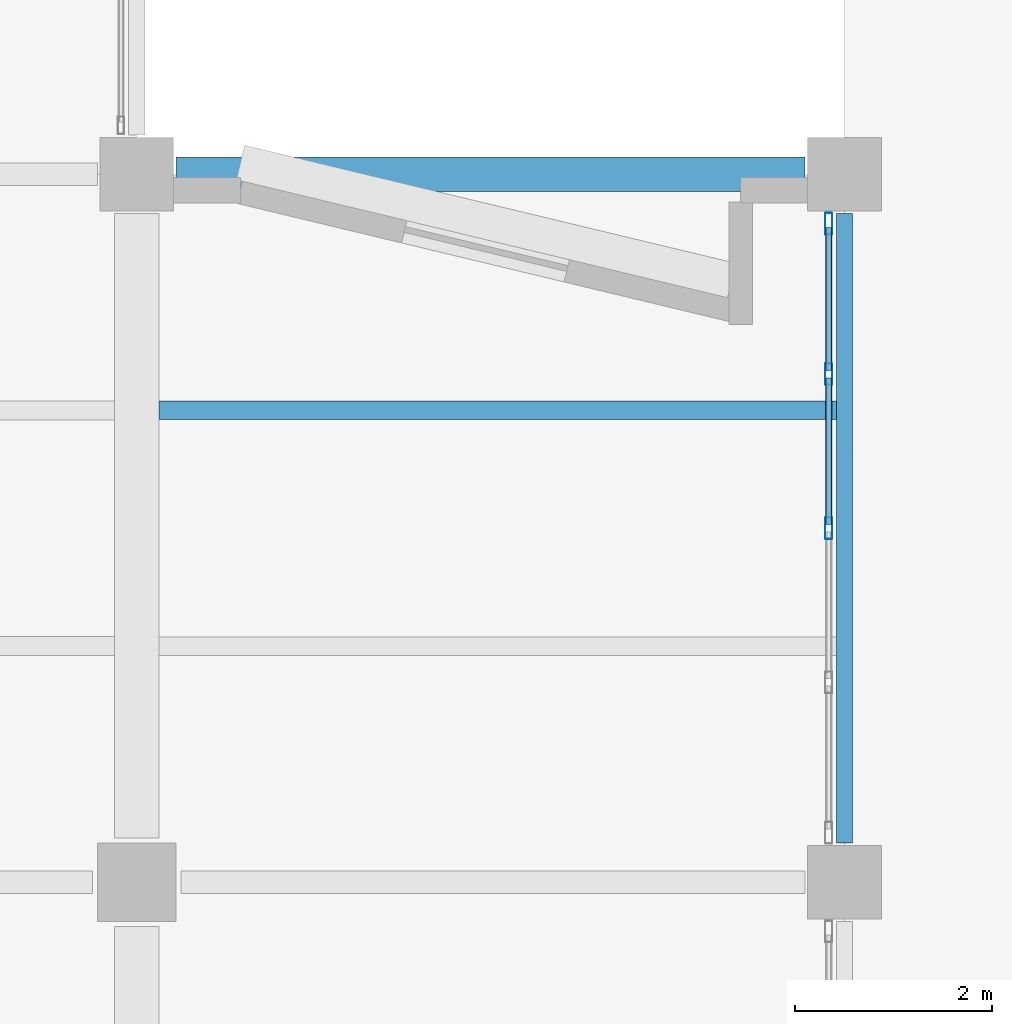
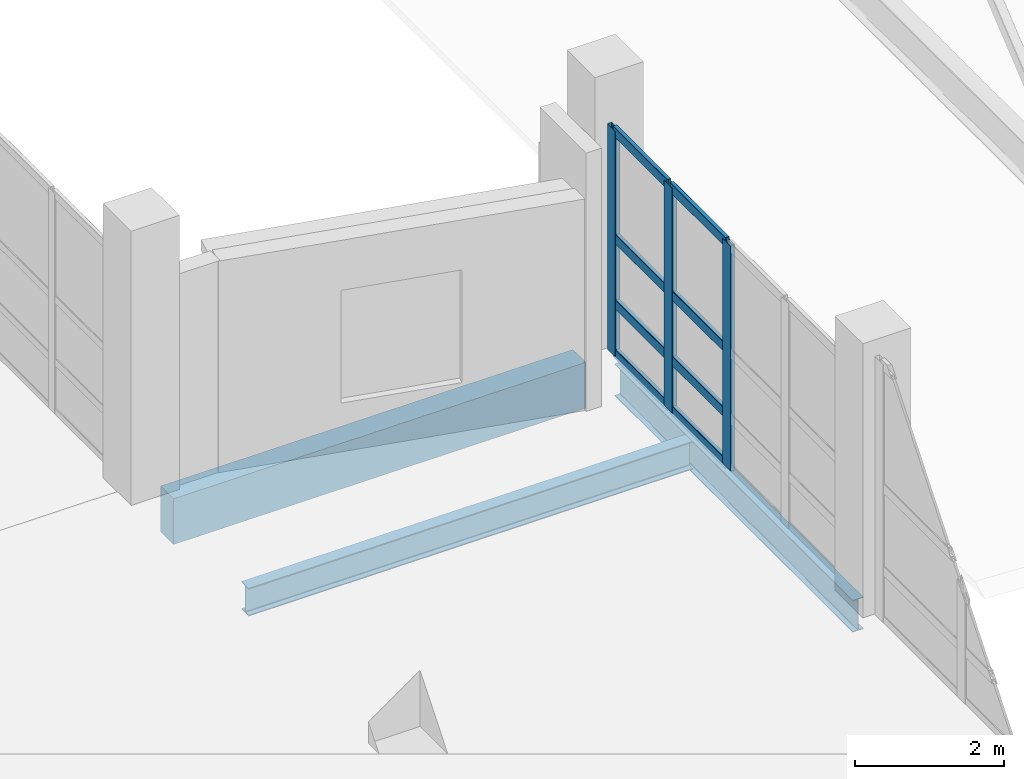
# One storey, part 35 of 123: 11 members, 3 beams, 1 element without a shape of its own.
"""IFC4 building model written with IfcOpenShell, lengths in metres."""

from ifc_helpers import new_model, si_unit, direction, frame, origin, origin_2d, place, context, subcontext, project, spatial, rectangle, hollow_rectangle, i_section, extrude, material, material_profile, profile_set, type_object, element, aggregate, save


model = new_model("IFC4")

# Units and contexts
model_context = context("Model", 3, precision=1e-05, world=origin(), true_north=direction((0.0, 1.0)))
body_context = subcontext(model_context, "Body", "Model", "MODEL_VIEW")
ifc_project = project(units=[si_unit("LENGTHUNIT", "METRE"), si_unit("AREAUNIT", "SQUARE_METRE"), si_unit("VOLUMEUNIT", "CUBIC_METRE"), si_unit("PLANEANGLEUNIT", "RADIAN"), si_unit("MASSUNIT", "GRAM", prefix="KILO")], contexts=[model_context])

# Site, building, storey
site_placement = place(None, origin())
site = spatial("IfcSite", under=ifc_project, at=site_placement, CompositionType="ELEMENT")
building_placement = place(site_placement, origin())
building = spatial("IfcBuilding", under=site, at=building_placement, Name="Kalmorath City Hall", CompositionType="ELEMENT")
storey_placement = place(building_placement, frame((0.0, 0.0, 10.199951171875)))
storey = spatial("IfcBuildingStorey", under=building, at=storey_placement, Name="L02", CompositionType="ELEMENT", Elevation=10.199951171875)

# Curtain wall, members
ifc_material_1 = material(Name="Anodised aluminium and laminated glass", Category="aluminium")
curtain_wall_type = type_object("IfcCurtainWallType", Name="Unitised hurricane curtain wall 6270x3696 M1500", PredefinedType="NOTDEFINED", material=ifc_material_1)
curtain_wall_placement = place(storey_placement, origin())
curtain_wall = element("IfcCurtainWall", 1, at=curtain_wall_placement, inside=storey, type_object=curtain_wall_type, Name="L02 curtain wall CW-63X37M15 #143", PredefinedType="NOTDEFINED")
ifc_material_2 = material(Name="Anodised aluminium framing", Category="aluminium")
ifc_material_profile_1 = material_profile(ifc_material_2, hollow_rectangle(XDim=0.074951171875, YDim=0.219970703125, WallThickness=0.00390625, InnerFilletRadius=0.00390625, OuterFilletRadius=0.008056640625, at=origin_2d()), Name="ALU-MUL-220X75X4")
ifc_profile_set_1 = profile_set([ifc_material_profile_1], Name="Anodised aluminium framing")
member_type_1 = type_object("IfcMemberType", Name="Curtain-wall primary mullion 220x75", PredefinedType="MULLION", material=ifc_profile_set_1)
member_1_placement = place(storey_placement, frame((35.840087890625, 35.49755859375, 0.0), z_axis=(0.0, 0.0, 1.0), x_axis=(1.0, 0.0, 0.0)))
member_1 = element("IfcMember", 2, at=member_1_placement, type_object=member_type_1, Name="CW-63X37M15 mullion 1", PredefinedType="MULLION", context=body_context, shape_type="SweptSolid", body=[
    extrude(hollow_rectangle(XDim=0.074951171875, YDim=0.219970703125, WallThickness=0.00390625, InnerFilletRadius=0.00390625, OuterFilletRadius=0.008056640625, at=origin_2d()), origin(), (0.0, 0.0, 1.0), 3.696044921875),
])
member_2_placement = place(storey_placement, frame((35.840087890625, 33.967529296875, 0.0), z_axis=(0.0, 0.0, 1.0), x_axis=(1.0, 0.0, 0.0)))
member_2 = element("IfcMember", 3, at=member_2_placement, type_object=member_type_1, Name="CW-63X37M15 mullion 2", PredefinedType="MULLION", context=body_context, shape_type="SweptSolid", body=[
    extrude(hollow_rectangle(XDim=0.074951171875, YDim=0.219970703125, WallThickness=0.00390625, InnerFilletRadius=0.00390625, OuterFilletRadius=0.008056640625, at=origin_2d()), origin(), (0.0, 0.0, 1.0), 3.696044921875),
])
member_3_placement = place(storey_placement, frame((35.840087890625, 32.39990234375, 0.0), z_axis=(0.0, 0.0, 1.0), x_axis=(1.0, 0.0, 0.0)))
member_3 = element("IfcMember", 4, at=member_3_placement, type_object=member_type_1, Name="CW-63X37M15 mullion 3", PredefinedType="MULLION", context=body_context, shape_type="SweptSolid", body=[
    extrude(hollow_rectangle(XDim=0.074951171875, YDim=0.219970703125, WallThickness=0.00390625, InnerFilletRadius=0.00390625, OuterFilletRadius=0.008056640625, at=origin_2d()), origin(), (0.0, 0.0, 1.0), 3.696044921875),
])
ifc_material_3 = material(Name="Anodised aluminium framing", Category="aluminium")
ifc_material_profile_2 = material_profile(ifc_material_3, hollow_rectangle(XDim=0.06494140625, YDim=0.159912109375, WallThickness=0.00390625, InnerFilletRadius=0.00390625, OuterFilletRadius=0.008056640625, at=origin_2d()), Name="ALU-TRN-160X65X4")
ifc_profile_set_2 = profile_set([ifc_material_profile_2], Name="Anodised aluminium framing")
member_type_2 = type_object("IfcMemberType", Name="Curtain-wall primary transom 160x65", PredefinedType="USERDEFINED", material=ifc_profile_set_2)
member_4_placement = place(storey_placement, frame((35.840087890625, 35.4599609375, 0.032470703125), z_axis=(0.0, -1.0, 0.0), x_axis=(1.0, 0.0, 0.0)))
member_4 = element("IfcMember", 5, at=member_4_placement, type_object=member_type_2, Name="CW-63X37M15 transom 1.1", ObjectType="TRANSOM", PredefinedType="USERDEFINED", context=body_context, shape_type="SweptSolid", body=[
    extrude(hollow_rectangle(XDim=0.06494140625, YDim=0.159912109375, WallThickness=0.00390625, InnerFilletRadius=0.00390625, OuterFilletRadius=0.008056640625, at=origin_2d()), origin(), (0.0, 0.0, 1.0), 1.455078125),
])
member_5_placement = place(storey_placement, frame((35.840087890625, 35.4599609375, 0.85009765625), z_axis=(0.0, -1.0, 0.0), x_axis=(1.0, 0.0, 0.0)))
member_5 = element("IfcMember", 6, at=member_5_placement, type_object=member_type_2, Name="CW-63X37M15 transom 1.2", ObjectType="TRANSOM", PredefinedType="USERDEFINED", context=body_context, shape_type="SweptSolid", body=[
    extrude(hollow_rectangle(XDim=0.06494140625, YDim=0.159912109375, WallThickness=0.00390625, InnerFilletRadius=0.00390625, OuterFilletRadius=0.008056640625, at=origin_2d()), origin(), (0.0, 0.0, 1.0), 1.455078125),
])
member_6_placement = place(storey_placement, frame((35.840087890625, 35.4599609375, 1.922119140625), z_axis=(0.0, -1.0, 0.0), x_axis=(1.0, 0.0, 0.0)))
member_6 = element("IfcMember", 7, at=member_6_placement, type_object=member_type_2, Name="CW-63X37M15 transom 1.3", ObjectType="TRANSOM", PredefinedType="USERDEFINED", context=body_context, shape_type="SweptSolid", body=[
    extrude(hollow_rectangle(XDim=0.06494140625, YDim=0.159912109375, WallThickness=0.00390625, InnerFilletRadius=0.00390625, OuterFilletRadius=0.008056640625, at=origin_2d()), origin(), (0.0, 0.0, 1.0), 1.455078125),
])
member_7_placement = place(storey_placement, frame((35.840087890625, 35.4599609375, 3.66357421875), z_axis=(0.0, -1.0, 0.0), x_axis=(1.0, 0.0, 0.0)))
member_7 = element("IfcMember", 8, at=member_7_placement, type_object=member_type_2, Name="CW-63X37M15 transom 1.4", ObjectType="TRANSOM", PredefinedType="USERDEFINED", context=body_context, shape_type="SweptSolid", body=[
    extrude(hollow_rectangle(XDim=0.06494140625, YDim=0.159912109375, WallThickness=0.00390625, InnerFilletRadius=0.00390625, OuterFilletRadius=0.008056640625, at=origin_2d()), origin(), (0.0, 0.0, 1.0), 1.455078125),
])
member_8_placement = place(storey_placement, frame((35.840087890625, 33.929931640625, 0.032470703125), z_axis=(0.0, -1.0, 0.0), x_axis=(1.0, 0.0, 0.0)))
member_8 = element("IfcMember", 9, at=member_8_placement, type_object=member_type_2, Name="CW-63X37M15 transom 2.1", ObjectType="TRANSOM", PredefinedType="USERDEFINED", context=body_context, shape_type="SweptSolid", body=[
    extrude(hollow_rectangle(XDim=0.06494140625, YDim=0.159912109375, WallThickness=0.00390625, InnerFilletRadius=0.00390625, OuterFilletRadius=0.008056640625, at=origin_2d()), origin(), (0.0, 0.0, 1.0), 1.492431640625),
])
member_9_placement = place(storey_placement, frame((35.840087890625, 33.929931640625, 0.85009765625), z_axis=(0.0, -1.0, 0.0), x_axis=(1.0, 0.0, 0.0)))
member_9 = element("IfcMember", 10, at=member_9_placement, type_object=member_type_2, Name="CW-63X37M15 transom 2.2", ObjectType="TRANSOM", PredefinedType="USERDEFINED", context=body_context, shape_type="SweptSolid", body=[
    extrude(hollow_rectangle(XDim=0.06494140625, YDim=0.159912109375, WallThickness=0.00390625, InnerFilletRadius=0.00390625, OuterFilletRadius=0.008056640625, at=origin_2d()), origin(), (0.0, 0.0, 1.0), 1.492431640625),
])
member_10_placement = place(storey_placement, frame((35.840087890625, 33.929931640625, 1.922119140625), z_axis=(0.0, -1.0, 0.0), x_axis=(1.0, 0.0, 0.0)))
member_10 = element("IfcMember", 11, at=member_10_placement, type_object=member_type_2, Name="CW-63X37M15 transom 2.3", ObjectType="TRANSOM", PredefinedType="USERDEFINED", context=body_context, shape_type="SweptSolid", body=[
    extrude(hollow_rectangle(XDim=0.06494140625, YDim=0.159912109375, WallThickness=0.00390625, InnerFilletRadius=0.00390625, OuterFilletRadius=0.008056640625, at=origin_2d()), origin(), (0.0, 0.0, 1.0), 1.492431640625),
])
member_11_placement = place(storey_placement, frame((35.840087890625, 33.929931640625, 3.66357421875), z_axis=(0.0, -1.0, 0.0), x_axis=(1.0, 0.0, 0.0)))
member_11 = element("IfcMember", 12, at=member_11_placement, type_object=member_type_2, Name="CW-63X37M15 transom 2.4", ObjectType="TRANSOM", PredefinedType="USERDEFINED", context=body_context, shape_type="SweptSolid", body=[
    extrude(hollow_rectangle(XDim=0.06494140625, YDim=0.159912109375, WallThickness=0.00390625, InnerFilletRadius=0.00390625, OuterFilletRadius=0.008056640625, at=origin_2d()), origin(), (0.0, 0.0, 1.0), 1.492431640625),
])
aggregate(curtain_wall, [member_1, member_2, member_3, member_4, member_5, member_6, member_7, member_8, member_9, member_10, member_11])

# Beams
ifc_material_4 = material(Name="Precast concrete C40/50", Category="concrete")
ifc_material_profile_3 = material_profile(ifc_material_4, rectangle(XDim=0.35009765625, YDim=0.75, at=origin_2d()), Name="PC-SP-350X750")
ifc_profile_set_3 = profile_set([ifc_material_profile_3], Name="Precast concrete C40/50")
beam_type_1 = type_object("IfcBeamType", Name="Precast spandrel lintel 350x750", PredefinedType="LINTEL", material=ifc_profile_set_3)
beam_1_placement = place(storey_placement, frame((29.199951171875, 36.0, -0.658935546875), z_axis=(1.0, 0.0, 0.0), x_axis=(0.0, 1.0, 0.0)))
element("IfcBeam", 13, at=beam_1_placement, inside=storey, type_object=beam_type_1, Name="L02 girder PSB1 X5-6/6", PredefinedType="LINTEL", context=body_context, shape_type="SweptSolid", body=[
    extrude(rectangle(XDim=0.35009765625, YDim=0.75, at=origin_2d()), origin(), (0.0, 0.0, 1.0), 6.400146484375),
])
ifc_material_5 = material(Name="Steel ASTM A992 Grade 50", Category="steel")
ifc_material_profile_4 = material_profile(ifc_material_5, i_section(OverallWidth=0.19091796875, OverallDepth=0.4599609375, WebThickness=0.010009765625, FlangeThickness=0.01611328125, FilletRadius=0.013916015625, at=origin_2d()), Name="W18X55")
ifc_profile_set_4 = profile_set([ifc_material_profile_4], Name="Steel ASTM A992 Grade 50")
beam_type_2 = type_object("IfcBeamType", Name="Steel composite joist W18X55", PredefinedType="JOIST", material=ifc_profile_set_4)
beam_2_placement = place(storey_placement, frame((29.02490234375, 33.60009765625, -0.513916015625), z_axis=(1.0, 0.0, 0.0), x_axis=(0.0, 1.0, 0.0)))
element("IfcBeam", 14, at=beam_2_placement, inside=storey, type_object=beam_type_2, Name="L02 joist SJ2 5.5.2", PredefinedType="JOIST", context=body_context, shape_type="SweptSolid", body=[
    extrude(i_section(OverallWidth=0.19091796875, OverallDepth=0.4599609375, WebThickness=0.010009765625, FlangeThickness=0.01611328125, FilletRadius=0.013916015625, at=origin_2d()), origin(), (0.0, 0.0, 1.0), 6.892578125),
])
ifc_material_6 = material(Name="Steel ASTM A992 Grade 50", Category="steel")
ifc_material_profile_5 = material_profile(ifc_material_6, i_section(OverallWidth=0.1650390625, OverallDepth=0.52490234375, WebThickness=0.0087890625, FlangeThickness=0.011474609375, FilletRadius=0.014892578125, at=origin_2d()), Name="W21X44")
ifc_profile_set_5 = profile_set([ifc_material_profile_5], Name="Steel ASTM A992 Grade 50")
beam_type_3 = type_object("IfcBeamType", Name="Steel spandrel beam W21X44", PredefinedType="SPANDREL", material=ifc_profile_set_5)
beam_3_placement = place(storey_placement, frame((36.0, 29.199951171875, -0.54638671875), z_axis=(0.0, 1.0, 0.0), x_axis=(-1.0, 0.0, 0.0)))
element("IfcBeam", 15, at=beam_3_placement, inside=storey, type_object=beam_type_3, Name="L02 girder SB4 Y6/5-6", PredefinedType="SPANDREL", context=body_context, shape_type="SweptSolid", body=[
    extrude(i_section(OverallWidth=0.1650390625, OverallDepth=0.52490234375, WebThickness=0.0087890625, FlangeThickness=0.011474609375, FilletRadius=0.014892578125, at=origin_2d()), origin(), (0.0, 0.0, 1.0), 6.400146484375),
])

save(model, "model.ifc")
